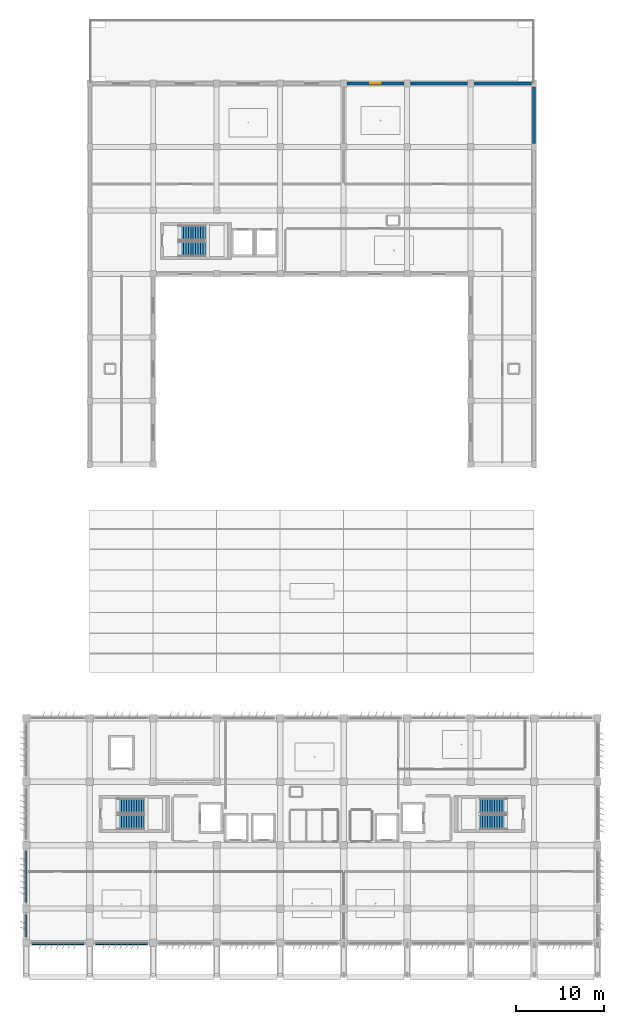
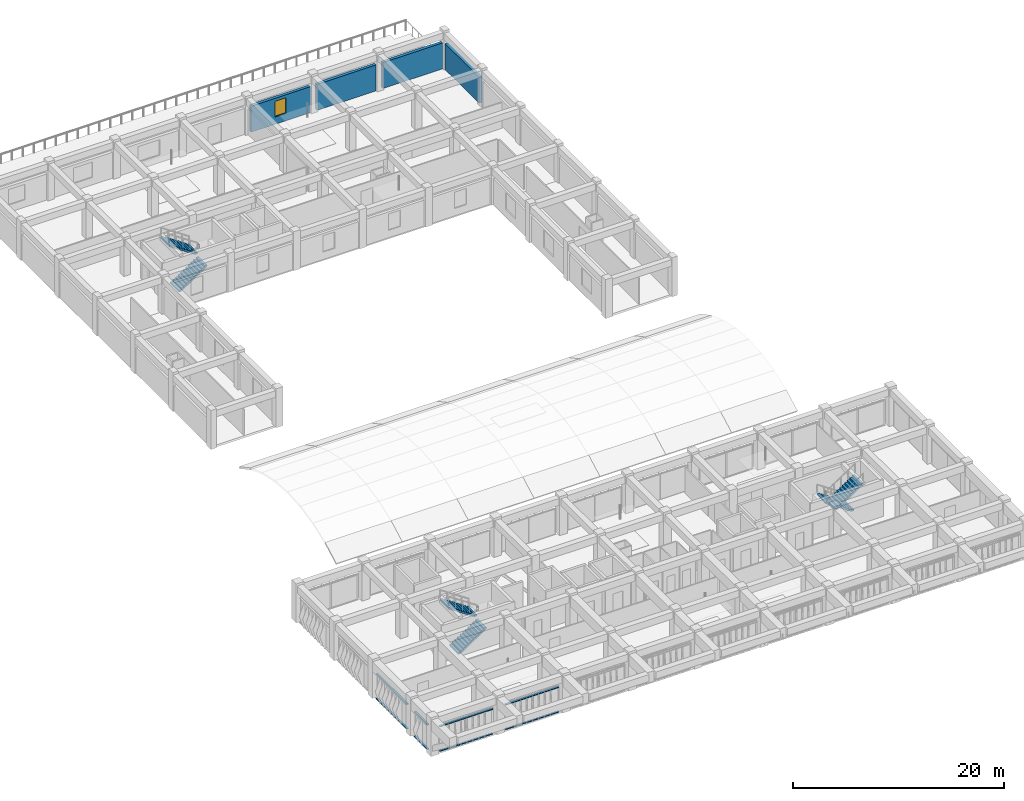
# One storey, part 39 of 56: 8 discrete accessories, 6 stair flights, 4 walls, 1 window, 1 opening, 3 elements without a shape of their own.
"""IFC4 building model written with IfcOpenShell, lengths in metres."""

import ifcopenshell
import ifcopenshell.guid

model = None  # the IFC model being written
_history = None  # IfcOwnerHistory: only IFC2X3 demands one
_inside = {}  # id of a spatial element -> (the spatial element, [elements in it])
_under = {}  # id of a project, library or spatial element -> (it, [spatial elements below it])
_declared = {}  # id of a project -> (the project, [libraries it declares])
_typed = {}  # id of a type object -> (the type object, [elements of that type])
_made_of = {}  # id of a material, layer set ... -> (it, [elements and type objects made of it])


def new_model(schema):
    """Start an empty IFC model of exactly this schema.

    Asked for "IFC4X3", IfcOpenShell would pick the latest addendum, in which some entities
    have other attributes; the version numbers below select the first issue.
    IFC2X3 requires an IfcOwnerHistory on every rooted entity: one is made here for all.
    """
    global model, _history
    if schema == "IFC4X3":
        model = ifcopenshell.file(schema_version=(4, 3, 0, 0))
    else:
        model = ifcopenshell.file(schema=schema)
    _inside.clear()
    _under.clear()
    _declared.clear()
    _typed.clear()
    _made_of.clear()
    _history = None
    if model.schema == "IFC2X3":
        org = make("IfcOrganization", Name="unknown")
        user = make(
            "IfcPersonAndOrganization",
            ThePerson=make("IfcPerson", FamilyName="unknown"),
            TheOrganization=org,
        )
        app = make(
            "IfcApplication",
            ApplicationDeveloper=org,
            Version="unknown",
            ApplicationFullName="unknown",
            ApplicationIdentifier="unknown",
        )
        _history = make(
            "IfcOwnerHistory",
            OwningUser=user,
            OwningApplication=app,
            ChangeAction="ADDED",
            CreationDate=0,
        )
    return model


def make(cls, **values):
    """One entity of the class cls with the attributes given. An attribute that is None is left unset."""
    return model.create_entity(
        cls, **{name: value for name, value in values.items() if value is not None}
    )


def rooted(cls, **values):
    """An entity with a GlobalId (a new one), such as an element, a storey or a relation."""
    return make(cls, GlobalId=ifcopenshell.guid.new(), OwnerHistory=_history, **values)


def si_unit(unit_type, name, prefix=None):
    """IfcSIUnit, for example si_unit("LENGTHUNIT", "METRE", prefix="MILLI")."""
    return make("IfcSIUnit", UnitType=unit_type, Prefix=prefix, Name=name)


def assignment(units):
    """IfcUnitAssignment: the units of a project."""
    return None if units is None else make("IfcUnitAssignment", Units=units)


def point(xyz):
    """IfcCartesianPoint."""
    return None if xyz is None else make("IfcCartesianPoint", Coordinates=xyz)


def direction(xyz):
    """IfcDirection."""
    return None if xyz is None else make("IfcDirection", DirectionRatios=xyz)


def frame(location, z_axis=None, x_axis=None):
    """IfcAxis2Placement3D, a coordinate frame: its origin and axes. An axis left out is left unset."""
    return make(
        "IfcAxis2Placement3D",
        Location=point(location),
        Axis=direction(z_axis),
        RefDirection=direction(x_axis),
    )


def frame_2d(location, x_axis=None):
    """IfcAxis2Placement2D, a coordinate frame in the plane: its origin and x axis."""
    return make(
        "IfcAxis2Placement2D", Location=point(location), RefDirection=direction(x_axis)
    )


def origin():
    """The frame at (0, 0, 0) with its axes left unset."""
    return frame((0.0, 0.0, 0.0))


def origin_2d():
    """The frame at (0, 0) in the plane with its x axis left unset."""
    return frame_2d((0.0, 0.0))


def place(relative_to, where):
    """IfcLocalPlacement: puts the frame where relative to a parent placement (None: the world)."""
    return make(
        "IfcLocalPlacement", PlacementRelTo=relative_to, RelativePlacement=where
    )


def context(
    kind, dimensions, precision=None, world=None, true_north=None, identifier=None
):
    """IfcGeometricRepresentationContext, for example the 3D "Model" context."""
    return make(
        "IfcGeometricRepresentationContext",
        ContextIdentifier=identifier,
        ContextType=kind,
        CoordinateSpaceDimension=dimensions,
        Precision=precision,
        WorldCoordinateSystem=world,
        TrueNorth=true_north,
    )


def subcontext(parent, identifier, kind, view, scale=None):
    """IfcGeometricRepresentationSubContext, for example "Body" below "Model"."""
    return make(
        "IfcGeometricRepresentationSubContext",
        ContextIdentifier=identifier,
        ContextType=kind,
        ParentContext=parent,
        TargetScale=scale,
        TargetView=view,
    )


def project(units=None, contexts=None):
    """IfcProject with its units and contexts."""
    return rooted(
        "IfcProject",
        Name="project",
        RepresentationContexts=contexts,
        UnitsInContext=assignment(units),
    )


def spatial(cls, under=None, at=None, **own):
    """A site, building, storey or space (cls), placed at a placement, below another one or the project."""
    s = rooted(cls, ObjectPlacement=at, **own)
    if under is not None:
        _under.setdefault(under.id(), (under, []))[1].append(s)
    return s


def polyline(points):
    """IfcPolyline through the points."""
    return make("IfcPolyline", Points=[point(p) for p in points])


def profile(cls, at=None, kind="AREA", **sizes):
    """A parametric profile (cls). Its sizes go by their IFC names, for example OverallWidth=200.0."""
    return make(cls, ProfileType=kind, Position=at, **sizes)


def rectangle(**sizes):
    """IfcRectangleProfileDef."""
    return profile("IfcRectangleProfileDef", **sizes)


def outline(outer, holes=None, kind="AREA"):
    """IfcArbitraryClosedProfileDef: a profile drawn as a closed curve; with holes, ...WithVoids."""
    if holes is None:
        return make("IfcArbitraryClosedProfileDef", ProfileType=kind, OuterCurve=outer)
    return make(
        "IfcArbitraryProfileDefWithVoids",
        ProfileType=kind,
        OuterCurve=outer,
        InnerCurves=holes,
    )


def extrude(swept, where, along, depth):
    """IfcExtrudedAreaSolid: the profile swept, set in the frame where, extruded along a direction by depth."""
    return make(
        "IfcExtrudedAreaSolid",
        SweptArea=swept,
        Position=where,
        ExtrudedDirection=direction(along),
        Depth=depth,
    )


def shape(context_of_items, identifier, shape_type, items):
    """IfcShapeRepresentation: the items that make up one representation, for example the "Body"."""
    return make(
        "IfcShapeRepresentation",
        ContextOfItems=context_of_items,
        RepresentationIdentifier=identifier,
        RepresentationType=shape_type,
        Items=items,
    )


def material(Name=None, Category=None):
    """IfcMaterial."""
    return make("IfcMaterial", Name=Name, Category=Category)


def layer(
    of_material, thickness, ventilated=None, Name=None, Category=None, Priority=None
):
    """IfcMaterialLayer: one layer of a wall or slab, of a material (None: an air gap)."""
    return make(
        "IfcMaterialLayer",
        Material=of_material,
        LayerThickness=thickness,
        IsVentilated=ventilated,
        Name=Name,
        Category=Category,
        Priority=Priority,
    )


def layer_set(layers, Name=None):
    """IfcMaterialLayerSet."""
    return make("IfcMaterialLayerSet", MaterialLayers=layers, LayerSetName=Name)


def made_of(thing, what):
    """Note that an element or type object is made of a material, layer set ...; save() writes the relation."""
    if what is not None:
        _made_of.setdefault(what.id(), (what, []))[1].append(thing)
    return thing


def type_object(cls, material=None, **own):
    """A type object (cls), such as IfcWallType, which elements share."""
    return made_of(rooted(cls, **own), material)


def element(
    cls,
    number,
    at=None,
    inside=None,
    cuts=None,
    type_object=None,
    material=None,
    context=None,
    identifier="Body",
    shape_type=None,
    held_by="IfcProductDefinitionShape",
    body=None,
    shapes=None,
    **own,
):
    """One element of the class cls, such as IfcWall. Its Tag is "e" and its number.

    at: its placement. inside: the storey or other place that contains it. cuts: it is an
    opening in that element (IfcRelVoidsElement). A single representation is given by context,
    identifier, shape_type and body (its items); several are given by shapes. held_by: the class
    of the entity that holds the representations. save() writes the other relations.
    """
    e = rooted(cls, Tag="e%d" % number, ObjectPlacement=at, **own)
    if body is not None:
        shapes = [shape(context, identifier, shape_type, body)]
    if shapes is not None:
        e.Representation = make(held_by, Representations=shapes)
    if inside is not None:
        _inside.setdefault(inside.id(), (inside, []))[1].append(e)
    if cuts is not None:
        rooted(
            "IfcRelVoidsElement", RelatingBuildingElement=cuts, RelatedOpeningElement=e
        )
    if type_object is not None:
        _typed.setdefault(type_object.id(), (type_object, []))[1].append(e)
    return made_of(e, material)


def fill(opening, filler):
    """IfcRelFillsElement: the door or window that sits in an opening."""
    return rooted(
        "IfcRelFillsElement",
        RelatingOpeningElement=opening,
        RelatedBuildingElement=filler,
    )


def aggregate(whole, parts):
    """IfcRelAggregates: a whole, such as a stair, and the parts it consists of."""
    return rooted("IfcRelAggregates", RelatingObject=whole, RelatedObjects=parts)


def save(model, path):
    """Write the relations noted so far, then the file.

    IfcRelAggregates (storeys below a building ...), IfcRelContainedInSpatialStructure (elements
    in a storey), IfcRelDefinesByType, IfcRelAssociatesMaterial and IfcRelDeclares: one each for
    every whole, place, type object, material and project.
    """
    for whole, parts in _under.values():
        aggregate(whole, parts)
    for where, things in _inside.values():
        rooted(
            "IfcRelContainedInSpatialStructure",
            RelatedElements=things,
            RelatingStructure=where,
        )
    for kind, things in _typed.values():
        rooted("IfcRelDefinesByType", RelatedObjects=things, RelatingType=kind)
    for what, things in _made_of.values():
        rooted("IfcRelAssociatesMaterial", RelatedObjects=things, RelatingMaterial=what)
    for by, libraries in _declared.values():
        rooted("IfcRelDeclares", RelatingContext=by, RelatedDefinitions=libraries)
    model.write(path)


model = new_model("IFC4")

# Units and contexts
model_context = context("Model", 3, precision=1e-05, world=origin(), true_north=direction((0.0, 1.0)))
body_context = subcontext(model_context, "Body", "Model", "MODEL_VIEW")
ifc_project = project(units=[si_unit("LENGTHUNIT", "METRE"), si_unit("AREAUNIT", "SQUARE_METRE"), si_unit("VOLUMEUNIT", "CUBIC_METRE"), si_unit("PLANEANGLEUNIT", "RADIAN"), si_unit("MASSUNIT", "GRAM", prefix="KILO")], contexts=[model_context])

# Site, building, storey
site_placement = place(None, origin())
site = spatial("IfcSite", under=ifc_project, at=site_placement, CompositionType="ELEMENT")
building_placement = place(site_placement, origin())
building = spatial("IfcBuilding", under=site, at=building_placement, Name="Kazehaya Institute of Natural Sciences", CompositionType="ELEMENT")
storey_placement = place(building_placement, frame((0.0, 0.0, 24.300048828125)))
storey = spatial("IfcBuildingStorey", under=building, at=storey_placement, Name="L05", CompositionType="ELEMENT", Elevation=24.300048828125)

# Wall
ifc_material_1 = material(Name="Precast concrete Fc36", Category="concrete")
ifc_layer = layer(ifc_material_1, 0.320068359375, Name="Precast concrete Fc36", Category="concrete")
ifc_layer_set = layer_set([ifc_layer], Name="Precast concrete Fc36")
wall_type = type_object("IfcWallType", Name="WL-EXT-320", PredefinedType="SOLIDWALL", material=ifc_layer_set)
wall_1_placement = place(storey_placement, frame((112.199951171875, 107.215087890625, 0.0), z_axis=(0.0, 0.0, 1.0), x_axis=(0.0, -1.0, 0.0)))
element("IfcWall", 1, at=wall_1_placement, inside=storey, type_object=wall_type, Name="L05 exterior wall EW-L05-0318", PredefinedType="SOLIDWALL", context=body_context, shape_type="SweptSolid", body=[
    extrude(rectangle(XDim=6.43017578125, YDim=0.320068359375, at=frame_2d((3.215087890625, 0.0))), origin(), (0.0, 0.0, 1.0), 3.0),
])

# Wall, opening, window
wall_2_placement = place(storey_placement, frame((90.9599609375, 107.60009765625, 0.0), z_axis=(0.0, 0.0, 1.0), x_axis=(1.0, 0.0, 0.0)))
wall_2 = element("IfcWall", 2, at=wall_2_placement, inside=storey, type_object=wall_type, Name="L05 exterior wall EW-L05-0323", PredefinedType="SOLIDWALL", context=body_context, shape_type="SweptSolid", body=[
    extrude(rectangle(XDim=6.47998046875, YDim=0.320068359375, at=frame_2d((3.239990234375, 0.0))), origin(), (0.0, 0.0, 1.0), 3.0),
])
opening_placement = place(wall_2_placement, frame((2.639892578125, 0.0, 0.85009765625)))
opening = element("IfcOpeningElement", 3, at=opening_placement, cuts=wall_2, Name="Opening W15", PredefinedType="OPENING", context=body_context, shape_type="SweptSolid", body=[
    extrude(rectangle(XDim=1.199951171875, YDim=1.800048828125, at=frame_2d((0.60009765625, 0.89990234375))), frame((0.0, 0.169921875, 0.0), z_axis=(0.0, -1.0, 0.0), x_axis=(1.0, 0.0, 0.0)), (0.0, 0.0, 1.0), 0.340087890625),
])
ifc_material_2 = material(Name="Low-E double-glazed aluminium window", Category="aluminium")
window_type = type_object("IfcWindowType", Name="WN-15", PartitioningType="SINGLE_PANEL", PredefinedType="WINDOW", material=ifc_material_2)
window_placement = place(opening_placement, origin())
window = element("IfcWindow", 4, at=window_placement, inside=storey, type_object=window_type, Name="L05 facade window 0199", OverallHeight=1.800048828125, OverallWidth=1.199951171875, PartitioningType="SINGLE_PANEL", PredefinedType="WINDOW", context=body_context, shape_type="SweptSolid", body=[
    extrude(rectangle(XDim=1.199951171875, YDim=1.800048828125, at=frame_2d((0.60009765625, 0.89990234375))), frame((0.0, 0.030029296875, 0.0), z_axis=(0.0, -1.0, 0.0), x_axis=(1.0, 0.0, 0.0)), (0.0, 0.0, 1.0), 0.06005859375),
])
fill(opening, window)

# Walls
wall_3_placement = place(storey_placement, frame((98.159912109375, 107.60009765625, 0.0), z_axis=(0.0, 0.0, 1.0), x_axis=(1.0, 0.0, 0.0)))
element("IfcWall", 5, at=wall_3_placement, inside=storey, type_object=wall_type, Name="L05 exterior wall EW-L05-0324", PredefinedType="SOLIDWALL", context=body_context, shape_type="SweptSolid", body=[
    extrude(rectangle(XDim=6.47998046875, YDim=0.320068359375, at=frame_2d((3.239990234375, 0.0))), origin(), (0.0, 0.0, 1.0), 3.0),
])
wall_4_placement = place(storey_placement, frame((105.360107421875, 107.60009765625, 0.0), z_axis=(0.0, 0.0, 1.0), x_axis=(1.0, 0.0, 0.0)))
element("IfcWall", 6, at=wall_4_placement, inside=storey, type_object=wall_type, Name="L05 exterior wall EW-L05-0325", PredefinedType="SOLIDWALL", context=body_context, shape_type="SweptSolid", body=[
    extrude(rectangle(XDim=6.554931640625, YDim=0.320068359375, at=frame_2d((3.27734375, 0.0))), origin(), (0.0, 0.0, 1.0), 3.0),
])

# Stair, stair flights
ifc_material_3 = material(Name="Concrete Fc36", Category="concrete")
stair_type = type_object("IfcStairType", Name="STR-DOG-4500", PredefinedType="HALF_TURN_STAIR", material=ifc_material_3)
stair_1_placement = place(storey_placement, origin())
stair_1 = element("IfcStair", 7, at=stair_1_placement, inside=storey, type_object=stair_type, Name="L05 Protected Escape Stair ST-1", PredefinedType="HALF_TURN_STAIR")
stair_flight_type = type_object("IfcStairFlightType", Name="STF-DOG-4500", PredefinedType="STRAIGHT", material=ifc_material_3)
stair_flight_1_placement = place(storey_placement, frame((64.860107421875, 23.830078125, 0.0), z_axis=(0.0, 0.0, 1.0), x_axis=(1.0, 0.0, 0.0)))
stair_flight_1 = element("IfcStairFlight", 8, at=stair_flight_1_placement, type_object=stair_flight_type, Name="ST-1 flight 1", NumberOfRisers=12, NumberOfTreads=11, PredefinedType="STRAIGHT", RiserHeight=0.1875, TreadLength=0.28, context=body_context, shape_type="SweptSolid", body=[
    extrude(outline(polyline([(0.0, 0.0), (0.0, 0.1875), (0.280029296875, 0.1875), (0.280029296875, 0.375), (0.56005859375, 0.375), (0.56005859375, 0.5625), (0.840087890625, 0.5625), (0.840087890625, 0.75), (1.1201171875, 0.75), (1.1201171875, 0.9375), (1.39990234375, 0.9375), (1.39990234375, 1.125), (1.679931640625, 1.125), (1.679931640625, 1.3125), (1.9599609375, 1.3125), (1.9599609375, 1.5), (2.239990234375, 1.5), (2.239990234375, 1.6875), (2.52001953125, 1.6875), (2.52001953125, 1.875), (2.800048828125, 1.875), (2.800048828125, 2.0625), (3.080078125, 2.0625), (3.080078125, 2.25), (3.080078125, 1.882080078125), (0.26953125, 0.0), (0.0, 0.0)])), frame((0.0, 0.830078125, 0.0), z_axis=(0.0, -1.0, 0.0), x_axis=(1.0, 0.0, 0.0)), (0.0, 0.0, 1.0), 1.659912109375),
])
stair_flight_2_placement = place(storey_placement, frame((67.93994140625, 25.64990234375, 2.25), z_axis=(0.0, 0.0, 1.0), x_axis=(-1.0, 0.0, 0.0)))
stair_flight_2 = element("IfcStairFlight", 9, at=stair_flight_2_placement, type_object=stair_flight_type, Name="ST-1 flight 2", NumberOfRisers=12, NumberOfTreads=11, PredefinedType="STRAIGHT", RiserHeight=0.1875, TreadLength=0.28, context=body_context, shape_type="SweptSolid", body=[
    extrude(outline(polyline([(0.0, 0.0), (0.0, 0.1875), (0.280029296875, 0.1875), (0.280029296875, 0.375), (0.56005859375, 0.375), (0.56005859375, 0.5625), (0.840087890625, 0.5625), (0.840087890625, 0.75), (1.1201171875, 0.75), (1.1201171875, 0.9375), (1.39990234375, 0.9375), (1.39990234375, 1.125), (1.679931640625, 1.125), (1.679931640625, 1.3125), (1.9599609375, 1.3125), (1.9599609375, 1.5), (2.239990234375, 1.5), (2.239990234375, 1.6875), (2.52001953125, 1.6875), (2.52001953125, 1.875), (2.800048828125, 1.875), (2.800048828125, 2.0625), (3.080078125, 2.0625), (3.080078125, 2.25), (3.080078125, 1.882080078125), (0.26953125, 0.0), (0.0, 0.0)])), frame((0.0, 0.830078125, 0.0), z_axis=(0.0, -1.0, 0.0), x_axis=(1.0, 0.0, 0.0)), (0.0, 0.0, 1.0), 1.659912109375),
])
aggregate(stair_1, [stair_flight_1, stair_flight_2])

stair_2_placement = place(storey_placement, origin())
stair_2 = element("IfcStair", 10, at=stair_2_placement, inside=storey, type_object=stair_type, Name="L05 Protected Escape Stair ST-2", PredefinedType="HALF_TURN_STAIR")
stair_flight_3_placement = place(storey_placement, frame((109.139892578125, 25.64990234375, 0.0), z_axis=(0.0, 0.0, 1.0), x_axis=(-1.0, 0.0, 0.0)))
stair_flight_3 = element("IfcStairFlight", 11, at=stair_flight_3_placement, type_object=stair_flight_type, Name="ST-2 flight 1", NumberOfRisers=12, NumberOfTreads=11, PredefinedType="STRAIGHT", RiserHeight=0.1875, TreadLength=0.28, context=body_context, shape_type="SweptSolid", body=[
    extrude(outline(polyline([(0.0, 0.0), (0.0, 0.1875), (0.280029296875, 0.1875), (0.280029296875, 0.375), (0.56005859375, 0.375), (0.56005859375, 0.5625), (0.840087890625, 0.5625), (0.840087890625, 0.75), (1.1201171875, 0.75), (1.1201171875, 0.9375), (1.39990234375, 0.9375), (1.39990234375, 1.125), (1.679931640625, 1.125), (1.679931640625, 1.3125), (1.9599609375, 1.3125), (1.9599609375, 1.5), (2.239990234375, 1.5), (2.239990234375, 1.6875), (2.52001953125, 1.6875), (2.52001953125, 1.875), (2.800048828125, 1.875), (2.800048828125, 2.0625), (3.080078125, 2.0625), (3.080078125, 2.25), (3.080078125, 1.882080078125), (0.26953125, 0.0), (0.0, 0.0)])), frame((0.0, 0.830078125, 0.0), z_axis=(0.0, -1.0, 0.0), x_axis=(1.0, 0.0, 0.0)), (0.0, 0.0, 1.0), 1.659912109375),
])
stair_flight_4_placement = place(storey_placement, frame((106.06005859375, 23.830078125, 2.25), z_axis=(0.0, 0.0, 1.0), x_axis=(1.0, 0.0, 0.0)))
stair_flight_4 = element("IfcStairFlight", 12, at=stair_flight_4_placement, type_object=stair_flight_type, Name="ST-2 flight 2", NumberOfRisers=12, NumberOfTreads=11, PredefinedType="STRAIGHT", RiserHeight=0.1875, TreadLength=0.28, context=body_context, shape_type="SweptSolid", body=[
    extrude(outline(polyline([(0.0, 0.0), (0.0, 0.1875), (0.280029296875, 0.1875), (0.280029296875, 0.375), (0.56005859375, 0.375), (0.56005859375, 0.5625), (0.840087890625, 0.5625), (0.840087890625, 0.75), (1.1201171875, 0.75), (1.1201171875, 0.9375), (1.39990234375, 0.9375), (1.39990234375, 1.125), (1.679931640625, 1.125), (1.679931640625, 1.3125), (1.9599609375, 1.3125), (1.9599609375, 1.5), (2.239990234375, 1.5), (2.239990234375, 1.6875), (2.52001953125, 1.6875), (2.52001953125, 1.875), (2.800048828125, 1.875), (2.800048828125, 2.0625), (3.080078125, 2.0625), (3.080078125, 2.25), (3.080078125, 1.882080078125), (0.26953125, 0.0), (0.0, 0.0)])), frame((0.0, 0.830078125, 0.0), z_axis=(0.0, -1.0, 0.0), x_axis=(1.0, 0.0, 0.0)), (0.0, 0.0, 1.0), 1.659912109375),
])
aggregate(stair_2, [stair_flight_3, stair_flight_4])

stair_3_placement = place(storey_placement, origin())
stair_3 = element("IfcStair", 13, at=stair_3_placement, inside=storey, type_object=stair_type, Name="L05 Protected Escape Stair ST-3", PredefinedType="HALF_TURN_STAIR")
stair_flight_5_placement = place(storey_placement, frame((71.860107421875, 88.830078125, 0.0), z_axis=(0.0, 0.0, 1.0), x_axis=(1.0, 0.0, 0.0)))
stair_flight_5 = element("IfcStairFlight", 14, at=stair_flight_5_placement, type_object=stair_flight_type, Name="ST-3 flight 1", NumberOfRisers=12, NumberOfTreads=11, PredefinedType="STRAIGHT", RiserHeight=0.1875, TreadLength=0.28, context=body_context, shape_type="SweptSolid", body=[
    extrude(outline(polyline([(0.0, 0.0), (0.0, 0.1875), (0.280029296875, 0.1875), (0.280029296875, 0.375), (0.56005859375, 0.375), (0.56005859375, 0.5625), (0.840087890625, 0.5625), (0.840087890625, 0.75), (1.1201171875, 0.75), (1.1201171875, 0.9375), (1.39990234375, 0.9375), (1.39990234375, 1.125), (1.679931640625, 1.125), (1.679931640625, 1.3125), (1.9599609375, 1.3125), (1.9599609375, 1.5), (2.239990234375, 1.5), (2.239990234375, 1.6875), (2.52001953125, 1.6875), (2.52001953125, 1.875), (2.800048828125, 1.875), (2.800048828125, 2.0625), (3.080078125, 2.0625), (3.080078125, 2.25), (3.080078125, 1.882080078125), (0.26953125, 0.0), (0.0, 0.0)])), frame((0.0, 0.830078125, 0.0), z_axis=(0.0, -1.0, 0.0), x_axis=(1.0, 0.0, 0.0)), (0.0, 0.0, 1.0), 1.659912109375),
])
stair_flight_6_placement = place(storey_placement, frame((74.93994140625, 90.64990234375, 2.25), z_axis=(0.0, 0.0, 1.0), x_axis=(-1.0, 0.0, 0.0)))
stair_flight_6 = element("IfcStairFlight", 15, at=stair_flight_6_placement, type_object=stair_flight_type, Name="ST-3 flight 2", NumberOfRisers=12, NumberOfTreads=11, PredefinedType="STRAIGHT", RiserHeight=0.1875, TreadLength=0.28, context=body_context, shape_type="SweptSolid", body=[
    extrude(outline(polyline([(0.0, 0.0), (0.0, 0.1875), (0.280029296875, 0.1875), (0.280029296875, 0.375), (0.56005859375, 0.375), (0.56005859375, 0.5625), (0.840087890625, 0.5625), (0.840087890625, 0.75), (1.1201171875, 0.75), (1.1201171875, 0.9375), (1.39990234375, 0.9375), (1.39990234375, 1.125), (1.679931640625, 1.125), (1.679931640625, 1.3125), (1.9599609375, 1.3125), (1.9599609375, 1.5), (2.239990234375, 1.5), (2.239990234375, 1.6875), (2.52001953125, 1.6875), (2.52001953125, 1.875), (2.800048828125, 1.875), (2.800048828125, 2.0625), (3.080078125, 2.0625), (3.080078125, 2.25), (3.080078125, 1.882080078125), (0.26953125, 0.0), (0.0, 0.0)])), frame((0.0, 0.830078125, 0.0), z_axis=(0.0, -1.0, 0.0), x_axis=(1.0, 0.0, 0.0)), (0.0, 0.0, 1.0), 1.659912109375),
])
aggregate(stair_3, [stair_flight_5, stair_flight_6])

# Discrete accessories
ifc_material_4 = material(Name="Aluminium alloy A6063S-T5", Category="aluminium")
discrete_accessory_type = type_object("IfcDiscreteAccessoryType", Name="ACC-BRK-01", PredefinedType="BRACKET", material=ifc_material_4)
for number, where, z_axis, x_axis, name in (
    (16, (65.39990234375, 10.02490234375, 0.039794921875), (0.0, 0.0, 1.0), (-1.0, 0.0, 0.0), "L05 fin support outrigger rail 1"),
    (17, (65.39990234375, 10.02490234375, 2.8798828125), (0.0, 0.0, 1.0), (-1.0, 0.0, 0.0), "L05 fin support outrigger rail 2"),
    (18, (58.199951171875, 10.02490234375, 0.039794921875), (0.0, 0.0, 1.0), (-1.0, 0.0, 0.0), "L05 fin support outrigger rail 1"),
    (19, (58.199951171875, 10.02490234375, 2.8798828125), (0.0, 0.0, 1.0), (-1.0, 0.0, 0.0), "L05 fin support outrigger rail 2"),
):
    element("IfcDiscreteAccessory", number, at=place(storey_placement, frame(where, z_axis=z_axis, x_axis=x_axis)), inside=storey, type_object=discrete_accessory_type, Name=name, PredefinedType="BRACKET", context=body_context, shape_type="SweptSolid", body=[
        extrude(rectangle(XDim=5.800048828125, YDim=0.219970703125, at=origin_2d()), origin(), (0.0, 0.0, 1.0), 0.080078125),
    ])
for number, where, z_axis, x_axis, name in (
    (20, (54.52490234375, 12.050048828125, 0.039794921875), (0.0, 0.0, 1.0), (0.0, 1.0, 0.0), "L05 fin support outrigger rail 1"),
    (21, (54.52490234375, 12.050048828125, 2.8798828125), (0.0, 0.0, 1.0), (0.0, 1.0, 0.0), "L05 fin support outrigger rail 2"),
):
    element("IfcDiscreteAccessory", number, at=place(storey_placement, frame(where, z_axis=z_axis, x_axis=x_axis)), inside=storey, type_object=discrete_accessory_type, Name=name, PredefinedType="BRACKET", context=body_context, shape_type="SweptSolid", body=[
        extrude(rectangle(XDim=2.5, YDim=0.219970703125, at=origin_2d()), origin(), (0.0, 0.0, 1.0), 0.080078125),
    ])
for number, where, z_axis, x_axis, name in (
    (22, (54.52490234375, 17.60009765625, 0.039794921875), (0.0, 0.0, 1.0), (0.0, 1.0, 0.0), "L05 fin support outrigger rail 1"),
    (23, (54.52490234375, 17.60009765625, 2.8798828125), (0.0, 0.0, 1.0), (0.0, 1.0, 0.0), "L05 fin support outrigger rail 2"),
):
    element("IfcDiscreteAccessory", number, at=place(storey_placement, frame(where, z_axis=z_axis, x_axis=x_axis)), inside=storey, type_object=discrete_accessory_type, Name=name, PredefinedType="BRACKET", context=body_context, shape_type="SweptSolid", body=[
        extrude(rectangle(XDim=5.800048828125, YDim=0.219970703125, at=origin_2d()), origin(), (0.0, 0.0, 1.0), 0.080078125),
    ])

save(model, "model.ifc")
